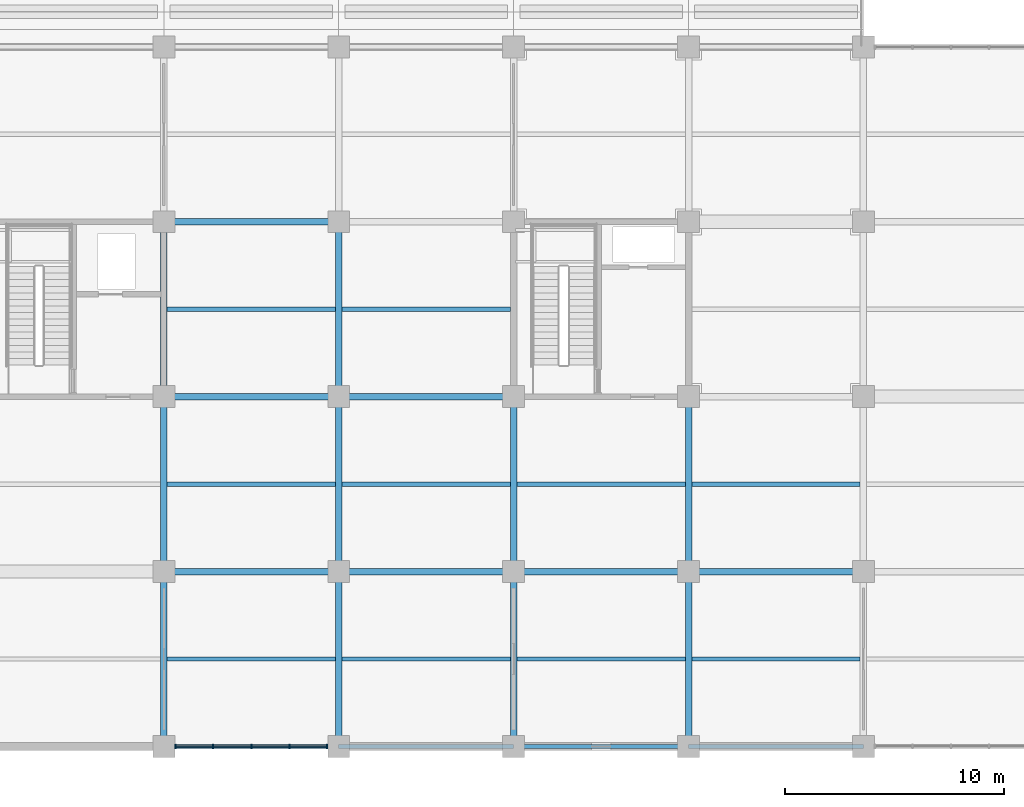
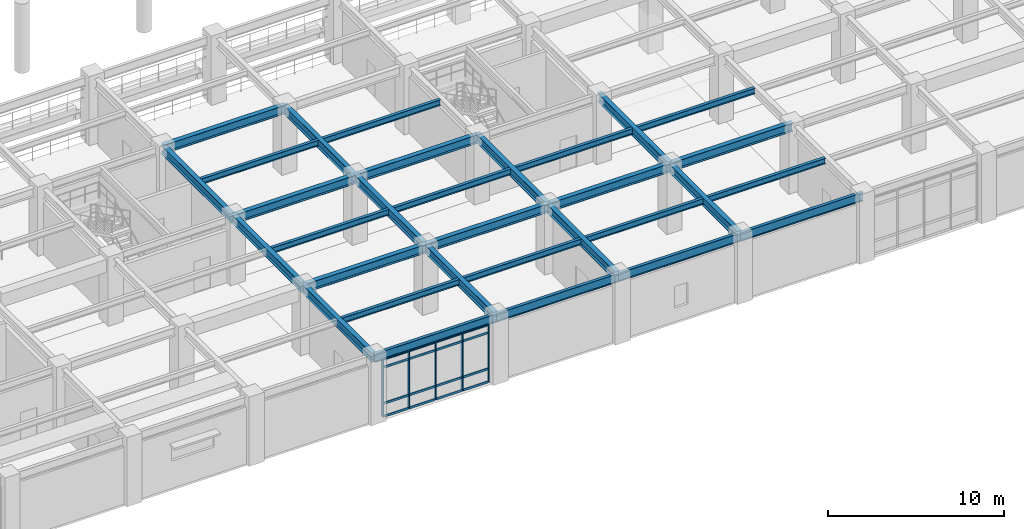
# One storey, part 15 of 117: 31 beams, 21 members, 1 element without a shape of its own.
"""IFC4 building model written with IfcOpenShell, lengths in metres."""

import ifcopenshell
import ifcopenshell.guid

model = None  # the IFC model being written
_history = None  # IfcOwnerHistory: only IFC2X3 demands one
_inside = {}  # id of a spatial element -> (the spatial element, [elements in it])
_under = {}  # id of a project, library or spatial element -> (it, [spatial elements below it])
_declared = {}  # id of a project -> (the project, [libraries it declares])
_typed = {}  # id of a type object -> (the type object, [elements of that type])
_made_of = {}  # id of a material, layer set ... -> (it, [elements and type objects made of it])


def new_model(schema):
    """Start an empty IFC model of exactly this schema.

    Asked for "IFC4X3", IfcOpenShell would pick the latest addendum, in which some entities
    have other attributes; the version numbers below select the first issue.
    IFC2X3 requires an IfcOwnerHistory on every rooted entity: one is made here for all.
    """
    global model, _history
    if schema == "IFC4X3":
        model = ifcopenshell.file(schema_version=(4, 3, 0, 0))
    else:
        model = ifcopenshell.file(schema=schema)
    _inside.clear()
    _under.clear()
    _declared.clear()
    _typed.clear()
    _made_of.clear()
    _history = None
    if model.schema == "IFC2X3":
        org = make("IfcOrganization", Name="unknown")
        user = make(
            "IfcPersonAndOrganization",
            ThePerson=make("IfcPerson", FamilyName="unknown"),
            TheOrganization=org,
        )
        app = make(
            "IfcApplication",
            ApplicationDeveloper=org,
            Version="unknown",
            ApplicationFullName="unknown",
            ApplicationIdentifier="unknown",
        )
        _history = make(
            "IfcOwnerHistory",
            OwningUser=user,
            OwningApplication=app,
            ChangeAction="ADDED",
            CreationDate=0,
        )
    return model


def make(cls, **values):
    """One entity of the class cls with the attributes given. An attribute that is None is left unset."""
    return model.create_entity(
        cls, **{name: value for name, value in values.items() if value is not None}
    )


def rooted(cls, **values):
    """An entity with a GlobalId (a new one), such as an element, a storey or a relation."""
    return make(cls, GlobalId=ifcopenshell.guid.new(), OwnerHistory=_history, **values)


def si_unit(unit_type, name, prefix=None):
    """IfcSIUnit, for example si_unit("LENGTHUNIT", "METRE", prefix="MILLI")."""
    return make("IfcSIUnit", UnitType=unit_type, Prefix=prefix, Name=name)


def assignment(units):
    """IfcUnitAssignment: the units of a project."""
    return None if units is None else make("IfcUnitAssignment", Units=units)


def point(xyz):
    """IfcCartesianPoint."""
    return None if xyz is None else make("IfcCartesianPoint", Coordinates=xyz)


def direction(xyz):
    """IfcDirection."""
    return None if xyz is None else make("IfcDirection", DirectionRatios=xyz)


def frame(location, z_axis=None, x_axis=None):
    """IfcAxis2Placement3D, a coordinate frame: its origin and axes. An axis left out is left unset."""
    return make(
        "IfcAxis2Placement3D",
        Location=point(location),
        Axis=direction(z_axis),
        RefDirection=direction(x_axis),
    )


def frame_2d(location, x_axis=None):
    """IfcAxis2Placement2D, a coordinate frame in the plane: its origin and x axis."""
    return make(
        "IfcAxis2Placement2D", Location=point(location), RefDirection=direction(x_axis)
    )


def origin():
    """The frame at (0, 0, 0) with its axes left unset."""
    return frame((0.0, 0.0, 0.0))


def origin_2d():
    """The frame at (0, 0) in the plane with its x axis left unset."""
    return frame_2d((0.0, 0.0))


def place(relative_to, where):
    """IfcLocalPlacement: puts the frame where relative to a parent placement (None: the world)."""
    return make(
        "IfcLocalPlacement", PlacementRelTo=relative_to, RelativePlacement=where
    )


def context(
    kind, dimensions, precision=None, world=None, true_north=None, identifier=None
):
    """IfcGeometricRepresentationContext, for example the 3D "Model" context."""
    return make(
        "IfcGeometricRepresentationContext",
        ContextIdentifier=identifier,
        ContextType=kind,
        CoordinateSpaceDimension=dimensions,
        Precision=precision,
        WorldCoordinateSystem=world,
        TrueNorth=true_north,
    )


def subcontext(parent, identifier, kind, view, scale=None):
    """IfcGeometricRepresentationSubContext, for example "Body" below "Model"."""
    return make(
        "IfcGeometricRepresentationSubContext",
        ContextIdentifier=identifier,
        ContextType=kind,
        ParentContext=parent,
        TargetScale=scale,
        TargetView=view,
    )


def project(units=None, contexts=None):
    """IfcProject with its units and contexts."""
    return rooted(
        "IfcProject",
        Name="project",
        RepresentationContexts=contexts,
        UnitsInContext=assignment(units),
    )


def spatial(cls, under=None, at=None, **own):
    """A site, building, storey or space (cls), placed at a placement, below another one or the project."""
    s = rooted(cls, ObjectPlacement=at, **own)
    if under is not None:
        _under.setdefault(under.id(), (under, []))[1].append(s)
    return s


def profile(cls, at=None, kind="AREA", **sizes):
    """A parametric profile (cls). Its sizes go by their IFC names, for example OverallWidth=200.0."""
    return make(cls, ProfileType=kind, Position=at, **sizes)


def rectangle(**sizes):
    """IfcRectangleProfileDef."""
    return profile("IfcRectangleProfileDef", **sizes)


def i_section(**sizes):
    """IfcIShapeProfileDef."""
    return profile("IfcIShapeProfileDef", **sizes)


def extrude(swept, where, along, depth):
    """IfcExtrudedAreaSolid: the profile swept, set in the frame where, extruded along a direction by depth."""
    return make(
        "IfcExtrudedAreaSolid",
        SweptArea=swept,
        Position=where,
        ExtrudedDirection=direction(along),
        Depth=depth,
    )


def shape(context_of_items, identifier, shape_type, items):
    """IfcShapeRepresentation: the items that make up one representation, for example the "Body"."""
    return make(
        "IfcShapeRepresentation",
        ContextOfItems=context_of_items,
        RepresentationIdentifier=identifier,
        RepresentationType=shape_type,
        Items=items,
    )


def material(Name=None, Category=None):
    """IfcMaterial."""
    return make("IfcMaterial", Name=Name, Category=Category)


def layer(
    of_material, thickness, ventilated=None, Name=None, Category=None, Priority=None
):
    """IfcMaterialLayer: one layer of a wall or slab, of a material (None: an air gap)."""
    return make(
        "IfcMaterialLayer",
        Material=of_material,
        LayerThickness=thickness,
        IsVentilated=ventilated,
        Name=Name,
        Category=Category,
        Priority=Priority,
    )


def layer_set(layers, Name=None):
    """IfcMaterialLayerSet."""
    return make("IfcMaterialLayerSet", MaterialLayers=layers, LayerSetName=Name)


def material_profile(
    of_material, cross_section, Name=None, Category=None, Priority=None
):
    """IfcMaterialProfile: a cross section and its material."""
    return make(
        "IfcMaterialProfile",
        Name=Name,
        Material=of_material,
        Profile=cross_section,
        Priority=Priority,
        Category=Category,
    )


def profile_set(profiles, Name=None, composite=None):
    """IfcMaterialProfileSet."""
    return make(
        "IfcMaterialProfileSet",
        Name=Name,
        MaterialProfiles=profiles,
        CompositeProfile=composite,
    )


def made_of(thing, what):
    """Note that an element or type object is made of a material, layer set ...; save() writes the relation."""
    if what is not None:
        _made_of.setdefault(what.id(), (what, []))[1].append(thing)
    return thing


def type_object(cls, material=None, **own):
    """A type object (cls), such as IfcWallType, which elements share."""
    return made_of(rooted(cls, **own), material)


def element(
    cls,
    number,
    at=None,
    inside=None,
    cuts=None,
    type_object=None,
    material=None,
    context=None,
    identifier="Body",
    shape_type=None,
    held_by="IfcProductDefinitionShape",
    body=None,
    shapes=None,
    **own,
):
    """One element of the class cls, such as IfcWall. Its Tag is "e" and its number.

    at: its placement. inside: the storey or other place that contains it. cuts: it is an
    opening in that element (IfcRelVoidsElement). A single representation is given by context,
    identifier, shape_type and body (its items); several are given by shapes. held_by: the class
    of the entity that holds the representations. save() writes the other relations.
    """
    e = rooted(cls, Tag="e%d" % number, ObjectPlacement=at, **own)
    if body is not None:
        shapes = [shape(context, identifier, shape_type, body)]
    if shapes is not None:
        e.Representation = make(held_by, Representations=shapes)
    if inside is not None:
        _inside.setdefault(inside.id(), (inside, []))[1].append(e)
    if cuts is not None:
        rooted(
            "IfcRelVoidsElement", RelatingBuildingElement=cuts, RelatedOpeningElement=e
        )
    if type_object is not None:
        _typed.setdefault(type_object.id(), (type_object, []))[1].append(e)
    return made_of(e, material)


def aggregate(whole, parts):
    """IfcRelAggregates: a whole, such as a stair, and the parts it consists of."""
    return rooted("IfcRelAggregates", RelatingObject=whole, RelatedObjects=parts)


def save(model, path):
    """Write the relations noted so far, then the file.

    IfcRelAggregates (storeys below a building ...), IfcRelContainedInSpatialStructure (elements
    in a storey), IfcRelDefinesByType, IfcRelAssociatesMaterial and IfcRelDeclares: one each for
    every whole, place, type object, material and project.
    """
    for whole, parts in _under.values():
        aggregate(whole, parts)
    for where, things in _inside.values():
        rooted(
            "IfcRelContainedInSpatialStructure",
            RelatedElements=things,
            RelatingStructure=where,
        )
    for kind, things in _typed.values():
        rooted("IfcRelDefinesByType", RelatedObjects=things, RelatingType=kind)
    for what, things in _made_of.values():
        rooted("IfcRelAssociatesMaterial", RelatedObjects=things, RelatingMaterial=what)
    for by, libraries in _declared.values():
        rooted("IfcRelDeclares", RelatingContext=by, RelatedDefinitions=libraries)
    model.write(path)


model = new_model("IFC4")

# Units and contexts
model_context = context("Model", 3, precision=1e-05, world=origin(), true_north=direction((0.0, 1.0)))
body_context = subcontext(model_context, "Body", "Model", "MODEL_VIEW")
ifc_project = project(units=[si_unit("LENGTHUNIT", "METRE"), si_unit("AREAUNIT", "SQUARE_METRE"), si_unit("VOLUMEUNIT", "CUBIC_METRE"), si_unit("PLANEANGLEUNIT", "RADIAN"), si_unit("MASSUNIT", "GRAM", prefix="KILO")], contexts=[model_context])

# Site, building, storey
site_placement = place(None, origin())
site = spatial("IfcSite", under=ifc_project, at=site_placement, CompositionType="ELEMENT")
building_placement = place(site_placement, origin())
building = spatial("IfcBuilding", under=site, at=building_placement, Name="Haebicheon Civic Stadium", CompositionType="ELEMENT")
storey_placement = place(building_placement, frame((0.0, 0.0, 4.800048828125)))
storey = spatial("IfcBuildingStorey", under=building, at=storey_placement, Name="L02", CompositionType="ELEMENT", Elevation=4.800048828125)

# Beams
ifc_material_1 = material(Name="Steel SM355 (S355)", Category="steel")
ifc_material_profile_1 = material_profile(ifc_material_1, i_section(OverallWidth=0.300048828125, OverallDepth=0.60009765625, WebThickness=0.011962890625, FlangeThickness=0.02001953125, at=origin_2d()), Name="H-600x300x12x20")
ifc_profile_set_1 = profile_set([ifc_material_profile_1], Name="Steel SM355 (S355)")
beam_type_1 = type_object("IfcBeamType", Name="BM-ST-H600A", PredefinedType="BEAM", material=ifc_profile_set_1)
for number, where, z_axis, x_axis, name in (
    (1, (96.0, 0.0, 4.280029296875), (0.0, 1.0, 0.0), (-1.0, 0.0, 0.0), "L02 girder 13/A-B"),
    (2, (96.0, 8.0, 4.280029296875), (0.0, 1.0, 0.0), (-1.0, 0.0, 0.0), "L02 girder 13/B-C"),
    (3, (96.0, 16.0, 4.219970703125), (0.0, 1.0, 0.0), (-1.0, 0.0, 0.0), "L02 girder 13/C-D"),
    (4, (104.0, 0.0, 4.280029296875), (0.0, 1.0, 0.0), (-1.0, 0.0, 0.0), "L02 girder 14/A-B"),
    (5, (104.0, 8.0, 4.280029296875), (0.0, 1.0, 0.0), (-1.0, 0.0, 0.0), "L02 girder 14/B-C"),
    (6, (104.0, 16.0, 4.219970703125), (0.0, 1.0, 0.0), (-1.0, 0.0, 0.0), "L02 girder 14/C-D"),
    (7, (112.0, 0.0, 4.280029296875), (0.0, 1.0, 0.0), (-1.0, 0.0, 0.0), "L02 girder 15/A-B"),
    (8, (112.0, 8.0, 4.280029296875), (0.0, 1.0, 0.0), (-1.0, 0.0, 0.0), "L02 girder 15/B-C"),
    (9, (120.0, 0.0, 4.280029296875), (0.0, 1.0, 0.0), (-1.0, 0.0, 0.0), "L02 girder 16/A-B"),
    (10, (120.0, 8.0, 4.280029296875), (0.0, 1.0, 0.0), (-1.0, 0.0, 0.0), "L02 girder 16/B-C"),
    (11, (96.0, 8.0, 4.280029296875), (1.0, 0.0, 0.0), (0.0, 1.0, 0.0), "L02 beam B/13-14"),
    (12, (96.0, 16.0, 4.219970703125), (1.0, 0.0, 0.0), (0.0, 1.0, 0.0), "L02 beam C/13-14"),
    (13, (96.0, 24.0, 4.219970703125), (1.0, 0.0, 0.0), (0.0, 1.0, 0.0), "L02 beam D/13-14"),
    (14, (104.0, 8.0, 4.280029296875), (1.0, 0.0, 0.0), (0.0, 1.0, 0.0), "L02 beam B/14-15"),
    (15, (104.0, 16.0, 4.219970703125), (1.0, 0.0, 0.0), (0.0, 1.0, 0.0), "L02 beam C/14-15"),
    (16, (112.0, 8.0, 4.280029296875), (1.0, 0.0, 0.0), (0.0, 1.0, 0.0), "L02 beam B/15-16"),
    (17, (120.0, 8.0, 4.280029296875), (1.0, 0.0, 0.0), (0.0, 1.0, 0.0), "L02 beam B/16-17"),
):
    element("IfcBeam", number, at=place(storey_placement, frame(where, z_axis=z_axis, x_axis=x_axis)), inside=storey, type_object=beam_type_1, material=ifc_profile_set_1, Name=name, PredefinedType="BEAM", context=body_context, shape_type="SweptSolid", body=[
        extrude(i_section(OverallWidth=0.300048828125, OverallDepth=0.60009765625, WebThickness=0.011962890625, FlangeThickness=0.02001953125, at=origin_2d()), origin(), (0.0, 0.0, 1.0), 8.0),
    ])

# Curtain wall, members
ifc_material_2 = material(Name="Anodised aluminium and laminated glass", Category="aluminium")
ifc_layer = layer(ifc_material_2, 0.179931640625, Name="Anodised aluminium and laminated glass")
ifc_layer_set = layer_set([ifc_layer], Name="Anodised aluminium and laminated glass")
curtain_wall_type = type_object("IfcCurtainWallType", Name="CW-7000x3950", PredefinedType="NOTDEFINED", material=ifc_layer_set)
curtain_wall_placement = place(storey_placement, origin())
curtain_wall = element("IfcCurtainWall", 18, at=curtain_wall_placement, inside=storey, type_object=curtain_wall_type, material=ifc_layer_set, Name="L02 unitised curtain wall 047", PredefinedType="NOTDEFINED")
ifc_material_3 = material(Name="Anodised aluminium 6063-T6", Category="aluminium")
ifc_material_profile_2 = material_profile(ifc_material_3, rectangle(XDim=0.070068359375, YDim=0.199951171875, at=origin_2d()), Name="ALU-MULL-70x200")
ifc_profile_set_2 = profile_set([ifc_material_profile_2], Name="Anodised aluminium 6063-T6")
member_type_1 = type_object("IfcMemberType", Name="CWM-200x70", PredefinedType="MULLION", material=ifc_profile_set_2)
member_1_placement = place(storey_placement, frame((96.534912109375, 0.0, 0.0), z_axis=(0.0, 0.0, 1.0), x_axis=(1.0, 0.0, 0.0)))
member_1 = element("IfcMember", 19, at=member_1_placement, type_object=member_type_1, material=ifc_profile_set_2, Name="CW-L02-047 vertical mullion 1", PredefinedType="MULLION", context=body_context, shape_type="SweptSolid", body=[
    extrude(rectangle(XDim=0.070068359375, YDim=0.199951171875, at=origin_2d()), origin(), (0.0, 0.0, 1.0), 3.949951171875),
])
member_2_placement = place(storey_placement, frame((98.25, 0.0, 0.0), z_axis=(0.0, 0.0, 1.0), x_axis=(1.0, 0.0, 0.0)))
member_2 = element("IfcMember", 20, at=member_2_placement, type_object=member_type_1, material=ifc_profile_set_2, Name="CW-L02-047 vertical mullion 2", PredefinedType="MULLION", context=body_context, shape_type="SweptSolid", body=[
    extrude(rectangle(XDim=0.070068359375, YDim=0.199951171875, at=origin_2d()), origin(), (0.0, 0.0, 1.0), 3.949951171875),
])
member_3_placement = place(storey_placement, frame((100.0, 0.0, 0.0), z_axis=(0.0, 0.0, 1.0), x_axis=(1.0, 0.0, 0.0)))
member_3 = element("IfcMember", 21, at=member_3_placement, type_object=member_type_1, material=ifc_profile_set_2, Name="CW-L02-047 vertical mullion 3", PredefinedType="MULLION", context=body_context, shape_type="SweptSolid", body=[
    extrude(rectangle(XDim=0.070068359375, YDim=0.199951171875, at=origin_2d()), origin(), (0.0, 0.0, 1.0), 3.949951171875),
])
member_4_placement = place(storey_placement, frame((101.75, 0.0, 0.0), z_axis=(0.0, 0.0, 1.0), x_axis=(1.0, 0.0, 0.0)))
member_4 = element("IfcMember", 22, at=member_4_placement, type_object=member_type_1, material=ifc_profile_set_2, Name="CW-L02-047 vertical mullion 4", PredefinedType="MULLION", context=body_context, shape_type="SweptSolid", body=[
    extrude(rectangle(XDim=0.070068359375, YDim=0.199951171875, at=origin_2d()), origin(), (0.0, 0.0, 1.0), 3.949951171875),
])
member_5_placement = place(storey_placement, frame((103.465087890625, 0.0, 0.0), z_axis=(0.0, 0.0, 1.0), x_axis=(1.0, 0.0, 0.0)))
member_5 = element("IfcMember", 23, at=member_5_placement, type_object=member_type_1, material=ifc_profile_set_2, Name="CW-L02-047 vertical mullion 5", PredefinedType="MULLION", context=body_context, shape_type="SweptSolid", body=[
    extrude(rectangle(XDim=0.070068359375, YDim=0.199951171875, at=origin_2d()), origin(), (0.0, 0.0, 1.0), 3.949951171875),
])
ifc_material_4 = material(Name="Anodised aluminium 6063-T6", Category="aluminium")
ifc_material_profile_3 = material_profile(ifc_material_4, rectangle(XDim=0.070068359375, YDim=0.14990234375, at=origin_2d()), Name="ALU-TRAN-70x150")
ifc_profile_set_3 = profile_set([ifc_material_profile_3], Name="Anodised aluminium 6063-T6")
member_type_2 = type_object("IfcMemberType", Name="CWT-150x70", PredefinedType="NOTDEFINED", material=ifc_profile_set_3)
member_6_placement = place(storey_placement, frame((96.570068359375, 0.0, 0.0), z_axis=(1.0, 0.0, 0.0), x_axis=(0.0, 1.0, 0.0)))
member_6 = element("IfcMember", 24, at=member_6_placement, type_object=member_type_2, material=ifc_profile_set_3, Name="CW-L02-047 horizontal transom 1.1", ObjectType="TRANSOM", PredefinedType="USERDEFINED", context=body_context, shape_type="SweptSolid", body=[
    extrude(rectangle(XDim=0.070068359375, YDim=0.14990234375, at=origin_2d()), origin(), (0.0, 0.0, 1.0), 1.64501953125),
])
member_7_placement = place(storey_placement, frame((96.570068359375, 0.0, 0.89990234375), z_axis=(1.0, 0.0, 0.0), x_axis=(0.0, 1.0, 0.0)))
member_7 = element("IfcMember", 25, at=member_7_placement, type_object=member_type_2, material=ifc_profile_set_3, Name="CW-L02-047 horizontal transom 1.2", ObjectType="TRANSOM", PredefinedType="USERDEFINED", context=body_context, shape_type="SweptSolid", body=[
    extrude(rectangle(XDim=0.070068359375, YDim=0.14990234375, at=origin_2d()), origin(), (0.0, 0.0, 1.0), 1.64501953125),
])
member_8_placement = place(storey_placement, frame((96.570068359375, 0.0, 3.39990234375), z_axis=(1.0, 0.0, 0.0), x_axis=(0.0, 1.0, 0.0)))
member_8 = element("IfcMember", 26, at=member_8_placement, type_object=member_type_2, material=ifc_profile_set_3, Name="CW-L02-047 horizontal transom 1.3", ObjectType="TRANSOM", PredefinedType="USERDEFINED", context=body_context, shape_type="SweptSolid", body=[
    extrude(rectangle(XDim=0.070068359375, YDim=0.14990234375, at=origin_2d()), origin(), (0.0, 0.0, 1.0), 1.64501953125),
])
member_9_placement = place(storey_placement, frame((96.570068359375, 0.0, 3.949951171875), z_axis=(1.0, 0.0, 0.0), x_axis=(0.0, 1.0, 0.0)))
member_9 = element("IfcMember", 27, at=member_9_placement, type_object=member_type_2, material=ifc_profile_set_3, Name="CW-L02-047 horizontal transom 1.4", ObjectType="TRANSOM", PredefinedType="USERDEFINED", context=body_context, shape_type="SweptSolid", body=[
    extrude(rectangle(XDim=0.070068359375, YDim=0.14990234375, at=origin_2d()), origin(), (0.0, 0.0, 1.0), 1.64501953125),
])
member_10_placement = place(storey_placement, frame((98.284912109375, 0.0, 0.0), z_axis=(1.0, 0.0, 0.0), x_axis=(0.0, 1.0, 0.0)))
member_10 = element("IfcMember", 28, at=member_10_placement, type_object=member_type_2, material=ifc_profile_set_3, Name="CW-L02-047 horizontal transom 2.1", ObjectType="TRANSOM", PredefinedType="USERDEFINED", context=body_context, shape_type="SweptSolid", body=[
    extrude(rectangle(XDim=0.070068359375, YDim=0.14990234375, at=origin_2d()), origin(), (0.0, 0.0, 1.0), 1.68017578125),
])
member_11_placement = place(storey_placement, frame((98.284912109375, 0.0, 0.89990234375), z_axis=(1.0, 0.0, 0.0), x_axis=(0.0, 1.0, 0.0)))
member_11 = element("IfcMember", 29, at=member_11_placement, type_object=member_type_2, material=ifc_profile_set_3, Name="CW-L02-047 horizontal transom 2.2", ObjectType="TRANSOM", PredefinedType="USERDEFINED", context=body_context, shape_type="SweptSolid", body=[
    extrude(rectangle(XDim=0.070068359375, YDim=0.14990234375, at=origin_2d()), origin(), (0.0, 0.0, 1.0), 1.68017578125),
])
member_12_placement = place(storey_placement, frame((98.284912109375, 0.0, 3.39990234375), z_axis=(1.0, 0.0, 0.0), x_axis=(0.0, 1.0, 0.0)))
member_12 = element("IfcMember", 30, at=member_12_placement, type_object=member_type_2, material=ifc_profile_set_3, Name="CW-L02-047 horizontal transom 2.3", ObjectType="TRANSOM", PredefinedType="USERDEFINED", context=body_context, shape_type="SweptSolid", body=[
    extrude(rectangle(XDim=0.070068359375, YDim=0.14990234375, at=origin_2d()), origin(), (0.0, 0.0, 1.0), 1.68017578125),
])
member_13_placement = place(storey_placement, frame((98.284912109375, 0.0, 3.949951171875), z_axis=(1.0, 0.0, 0.0), x_axis=(0.0, 1.0, 0.0)))
member_13 = element("IfcMember", 31, at=member_13_placement, type_object=member_type_2, material=ifc_profile_set_3, Name="CW-L02-047 horizontal transom 2.4", ObjectType="TRANSOM", PredefinedType="USERDEFINED", context=body_context, shape_type="SweptSolid", body=[
    extrude(rectangle(XDim=0.070068359375, YDim=0.14990234375, at=origin_2d()), origin(), (0.0, 0.0, 1.0), 1.68017578125),
])
member_14_placement = place(storey_placement, frame((100.034912109375, 0.0, 0.0), z_axis=(1.0, 0.0, 0.0), x_axis=(0.0, 1.0, 0.0)))
member_14 = element("IfcMember", 32, at=member_14_placement, type_object=member_type_2, material=ifc_profile_set_3, Name="CW-L02-047 horizontal transom 3.1", ObjectType="TRANSOM", PredefinedType="USERDEFINED", context=body_context, shape_type="SweptSolid", body=[
    extrude(rectangle(XDim=0.070068359375, YDim=0.14990234375, at=origin_2d()), origin(), (0.0, 0.0, 1.0), 1.68017578125),
])
member_15_placement = place(storey_placement, frame((100.034912109375, 0.0, 0.89990234375), z_axis=(1.0, 0.0, 0.0), x_axis=(0.0, 1.0, 0.0)))
member_15 = element("IfcMember", 33, at=member_15_placement, type_object=member_type_2, material=ifc_profile_set_3, Name="CW-L02-047 horizontal transom 3.2", ObjectType="TRANSOM", PredefinedType="USERDEFINED", context=body_context, shape_type="SweptSolid", body=[
    extrude(rectangle(XDim=0.070068359375, YDim=0.14990234375, at=origin_2d()), origin(), (0.0, 0.0, 1.0), 1.68017578125),
])
member_16_placement = place(storey_placement, frame((100.034912109375, 0.0, 3.39990234375), z_axis=(1.0, 0.0, 0.0), x_axis=(0.0, 1.0, 0.0)))
member_16 = element("IfcMember", 34, at=member_16_placement, type_object=member_type_2, material=ifc_profile_set_3, Name="CW-L02-047 horizontal transom 3.3", ObjectType="TRANSOM", PredefinedType="USERDEFINED", context=body_context, shape_type="SweptSolid", body=[
    extrude(rectangle(XDim=0.070068359375, YDim=0.14990234375, at=origin_2d()), origin(), (0.0, 0.0, 1.0), 1.68017578125),
])
member_17_placement = place(storey_placement, frame((100.034912109375, 0.0, 3.949951171875), z_axis=(1.0, 0.0, 0.0), x_axis=(0.0, 1.0, 0.0)))
member_17 = element("IfcMember", 35, at=member_17_placement, type_object=member_type_2, material=ifc_profile_set_3, Name="CW-L02-047 horizontal transom 3.4", ObjectType="TRANSOM", PredefinedType="USERDEFINED", context=body_context, shape_type="SweptSolid", body=[
    extrude(rectangle(XDim=0.070068359375, YDim=0.14990234375, at=origin_2d()), origin(), (0.0, 0.0, 1.0), 1.68017578125),
])
member_18_placement = place(storey_placement, frame((101.784912109375, 0.0, 0.0), z_axis=(1.0, 0.0, 0.0), x_axis=(0.0, 1.0, 0.0)))
member_18 = element("IfcMember", 36, at=member_18_placement, type_object=member_type_2, material=ifc_profile_set_3, Name="CW-L02-047 horizontal transom 4.1", ObjectType="TRANSOM", PredefinedType="USERDEFINED", context=body_context, shape_type="SweptSolid", body=[
    extrude(rectangle(XDim=0.070068359375, YDim=0.14990234375, at=origin_2d()), origin(), (0.0, 0.0, 1.0), 1.64501953125),
])
member_19_placement = place(storey_placement, frame((101.784912109375, 0.0, 0.89990234375), z_axis=(1.0, 0.0, 0.0), x_axis=(0.0, 1.0, 0.0)))
member_19 = element("IfcMember", 37, at=member_19_placement, type_object=member_type_2, material=ifc_profile_set_3, Name="CW-L02-047 horizontal transom 4.2", ObjectType="TRANSOM", PredefinedType="USERDEFINED", context=body_context, shape_type="SweptSolid", body=[
    extrude(rectangle(XDim=0.070068359375, YDim=0.14990234375, at=origin_2d()), origin(), (0.0, 0.0, 1.0), 1.64501953125),
])
member_20_placement = place(storey_placement, frame((101.784912109375, 0.0, 3.39990234375), z_axis=(1.0, 0.0, 0.0), x_axis=(0.0, 1.0, 0.0)))
member_20 = element("IfcMember", 38, at=member_20_placement, type_object=member_type_2, material=ifc_profile_set_3, Name="CW-L02-047 horizontal transom 4.3", ObjectType="TRANSOM", PredefinedType="USERDEFINED", context=body_context, shape_type="SweptSolid", body=[
    extrude(rectangle(XDim=0.070068359375, YDim=0.14990234375, at=origin_2d()), origin(), (0.0, 0.0, 1.0), 1.64501953125),
])
member_21_placement = place(storey_placement, frame((101.784912109375, 0.0, 3.949951171875), z_axis=(1.0, 0.0, 0.0), x_axis=(0.0, 1.0, 0.0)))
member_21 = element("IfcMember", 39, at=member_21_placement, type_object=member_type_2, material=ifc_profile_set_3, Name="CW-L02-047 horizontal transom 4.4", ObjectType="TRANSOM", PredefinedType="USERDEFINED", context=body_context, shape_type="SweptSolid", body=[
    extrude(rectangle(XDim=0.070068359375, YDim=0.14990234375, at=origin_2d()), origin(), (0.0, 0.0, 1.0), 1.64501953125),
])
aggregate(curtain_wall, [member_1, member_2, member_3, member_4, member_5, member_6, member_7, member_8, member_9, member_10, member_11, member_12, member_13, member_14, member_15, member_16, member_17, member_18, member_19, member_20, member_21])

# Beams
ifc_material_5 = material(Name="Steel SM355 (S355)", Category="steel")
ifc_material_profile_4 = material_profile(ifc_material_5, i_section(OverallWidth=0.199951171875, OverallDepth=0.39990234375, WebThickness=0.008056640625, FlangeThickness=0.012939453125, at=origin_2d()), Name="H-400x200x8x13")
ifc_profile_set_4 = profile_set([ifc_material_profile_4], Name="Steel SM355 (S355)")
beam_type_2 = type_object("IfcBeamType", Name="JST-ST-H400", PredefinedType="JOIST", material=ifc_profile_set_4)
for number, where, z_axis, x_axis, name in (
    (40, (96.14990234375, 4.0, 4.3798828125), (1.0, 0.0, 0.0), (0.0, 1.0, 0.0), "L02 secondary joist 12-00"),
    (41, (96.14990234375, 12.0, 4.3798828125), (1.0, 0.0, 0.0), (0.0, 1.0, 0.0), "L02 secondary joist 12-01"),
    (42, (96.14990234375, 20.0, 4.320068359375), (1.0, 0.0, 0.0), (0.0, 1.0, 0.0), "L02 secondary joist 12-02"),
    (43, (104.14990234375, 4.0, 4.3798828125), (1.0, 0.0, 0.0), (0.0, 1.0, 0.0), "L02 secondary joist 13-00"),
    (44, (104.14990234375, 12.0, 4.3798828125), (1.0, 0.0, 0.0), (0.0, 1.0, 0.0), "L02 secondary joist 13-01"),
    (45, (104.14990234375, 20.0, 4.320068359375), (1.0, 0.0, 0.0), (0.0, 1.0, 0.0), "L02 secondary joist 13-02"),
    (46, (112.14990234375, 4.0, 4.3798828125), (1.0, 0.0, 0.0), (0.0, 1.0, 0.0), "L02 secondary joist 14-00"),
    (47, (112.14990234375, 12.0, 4.3798828125), (1.0, 0.0, 0.0), (0.0, 1.0, 0.0), "L02 secondary joist 14-01"),
    (48, (120.14990234375, 4.0, 4.3798828125), (1.0, 0.0, 0.0), (0.0, 1.0, 0.0), "L02 secondary joist 15-00"),
    (49, (120.14990234375, 12.0, 4.3798828125), (1.0, 0.0, 0.0), (0.0, 1.0, 0.0), "L02 secondary joist 15-01"),
):
    element("IfcBeam", number, at=place(storey_placement, frame(where, z_axis=z_axis, x_axis=x_axis)), inside=storey, type_object=beam_type_2, material=ifc_profile_set_4, Name=name, PredefinedType="JOIST", context=body_context, shape_type="SweptSolid", body=[
        extrude(i_section(OverallWidth=0.199951171875, OverallDepth=0.39990234375, WebThickness=0.008056640625, FlangeThickness=0.012939453125, at=origin_2d()), origin(), (0.0, 0.0, 1.0), 7.7001953125),
    ])
ifc_material_6 = material(Name="Steel SM355 (S355)", Category="steel")
ifc_material_profile_5 = material_profile(ifc_material_6, i_section(OverallWidth=0.199951171875, OverallDepth=0.60009765625, WebThickness=0.010986328125, FlangeThickness=0.01708984375, at=origin_2d()), Name="H-600x200x11x17")
ifc_profile_set_5 = profile_set([ifc_material_profile_5], Name="Steel SM355 (S355)")
beam_type_3 = type_object("IfcBeamType", Name="SPD-ST-H600B", PredefinedType="SPANDREL", material=ifc_profile_set_5)
for number, where, z_axis, x_axis, name in (
    (50, (96.0, 0.0, 4.280029296875), (1.0, 0.0, 0.0), (0.0, 1.0, 0.0), "L02 beam A/13-14"),
    (51, (104.0, 0.0, 4.280029296875), (1.0, 0.0, 0.0), (0.0, 1.0, 0.0), "L02 beam A/14-15"),
    (52, (112.0, 0.0, 4.280029296875), (1.0, 0.0, 0.0), (0.0, 1.0, 0.0), "L02 beam A/15-16"),
    (53, (120.0, 0.0, 4.280029296875), (1.0, 0.0, 0.0), (0.0, 1.0, 0.0), "L02 beam A/16-17"),
):
    element("IfcBeam", number, at=place(storey_placement, frame(where, z_axis=z_axis, x_axis=x_axis)), inside=storey, type_object=beam_type_3, material=ifc_profile_set_5, Name=name, PredefinedType="SPANDREL", context=body_context, shape_type="SweptSolid", body=[
        extrude(i_section(OverallWidth=0.199951171875, OverallDepth=0.60009765625, WebThickness=0.010986328125, FlangeThickness=0.01708984375, at=origin_2d()), origin(), (0.0, 0.0, 1.0), 8.0),
    ])

save(model, "model.ifc")
